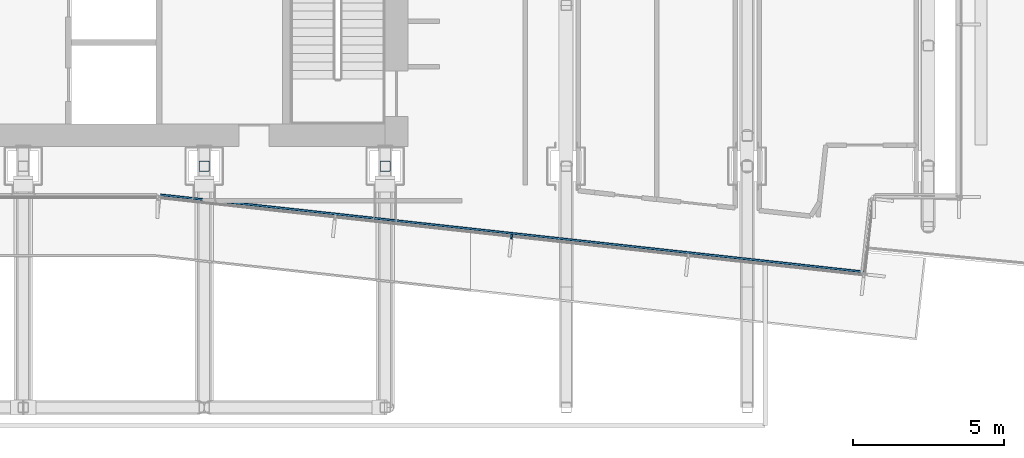
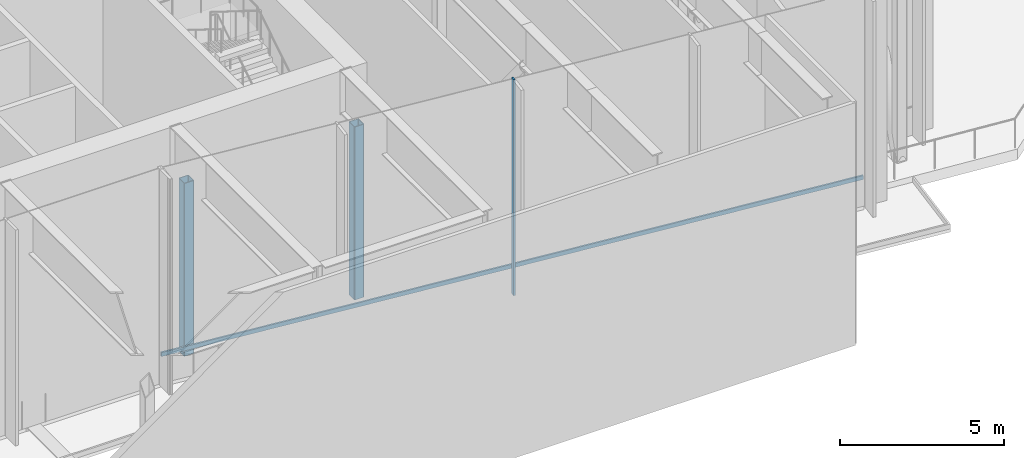
# One storey, part 2 of 24: 4 members, 1 element without a shape of its own.
"""IFC4 building model written with IfcOpenShell, lengths in metres."""

from ifc_helpers import new_model, si_unit, direction, frame, origin, origin_2d, place, context, subcontext, project, spatial, rectangle, hollow_rectangle, extrude, material, layer, layer_set, material_profile, profile_set, type_object, element, aggregate, save


model = new_model("IFC4")

# Units and contexts
model_context = context("Model", 3, precision=1e-05, world=origin(), true_north=direction((0.0, 1.0)))
body_context = subcontext(model_context, "Body", "Model", "MODEL_VIEW")
ifc_project = project(units=[si_unit("LENGTHUNIT", "METRE"), si_unit("AREAUNIT", "SQUARE_METRE"), si_unit("VOLUMEUNIT", "CUBIC_METRE"), si_unit("PLANEANGLEUNIT", "RADIAN"), si_unit("MASSUNIT", "GRAM", prefix="KILO")], contexts=[model_context])

# Site, building, storey
site_placement = place(None, origin())
site = spatial("IfcSite", under=ifc_project, at=site_placement, CompositionType="ELEMENT")
building_placement = place(site_placement, origin())
building = spatial("IfcBuilding", under=site, at=building_placement, Name="Welwitschia Terrace Campus", CompositionType="ELEMENT")
storey_placement = place(building_placement, frame((0.0, 0.0, 138.199951171875)))
storey = spatial("IfcBuildingStorey", under=building, at=storey_placement, Name="L31", CompositionType="ELEMENT", Elevation=138.199951171875)

# Curtain wall, member
ifc_material_1 = material(Name="Bronze anodised aluminium", Category="aluminium")
ifc_layer = layer(ifc_material_1, 0.159912109375)
ifc_layer_set = layer_set([ifc_layer], Name="Bronze anodised aluminium")
curtain_wall_type = type_object("IfcCurtainWallType", Name="Curtain wall CW3 commons 6000", PredefinedType="NOTDEFINED", material=ifc_layer_set)
curtain_wall_placement = place(storey_placement, origin())
curtain_wall = element("IfcCurtainWall", 1, at=curtain_wall_placement, inside=storey, type_object=curtain_wall_type, Name="CW L31.2.0", PredefinedType="NOTDEFINED")
ifc_material_2 = material(Name="Bronze anodised aluminium", Category="aluminium")
ifc_material_profile_1 = material_profile(ifc_material_2, rectangle(XDim=0.159912109375, YDim=0.06005859375, at=origin_2d()))
ifc_profile_set_1 = profile_set([ifc_material_profile_1], Name="Bronze anodised aluminium")
member_type_1 = type_object("IfcMemberType", Name="Mullion 60x160", PredefinedType="MULLION", material=ifc_profile_set_1)
member_1_placement = place(storey_placement, frame((28.192626953125, 1.667724609375, 0.0), z_axis=(0.0, 0.0, 1.0), x_axis=(0.108866874852, 0.994056338222, 0.0)))
member_1 = element("IfcMember", 2, at=member_1_placement, type_object=member_type_1, Name="Mullion L31.2.0.2", PredefinedType="MULLION", context=body_context, shape_type="SweptSolid", body=[
    extrude(rectangle(XDim=0.159912109375, YDim=0.06005859375, at=origin_2d()), origin(), (0.0, 0.0, 1.0), 8.050048828125),
])

# Members
ifc_material_3 = material(Name="Steel S355", Category="steel")
ifc_material_profile_2 = material_profile(ifc_material_3, hollow_rectangle(XDim=0.35009765625, YDim=0.35009765625, WallThickness=0.02001953125, InnerFilletRadius=0.02001953125, OuterFilletRadius=0.030029296875, at=origin_2d()))
ifc_profile_set_2 = profile_set([ifc_material_profile_2], Name="Steel S355")
member_type_2 = type_object("IfcMemberType", Name="Transfer truss C2 post SHS 350x350x20", PredefinedType="POST", material=ifc_profile_set_2)
for number, where, z_axis, x_axis, name in (
    (3, (18.0, 4.0, 0.0), (0.0, 0.0, 1.0), (1.0, 0.0, 0.0), "Truss post"),
    (4, (24.0, 4.0, 0.0), (0.0, 0.0, 1.0), (1.0, 0.0, 0.0), "Truss post"),
):
    element("IfcMember", number, at=place(storey_placement, frame(where, z_axis=z_axis, x_axis=x_axis)), inside=storey, type_object=member_type_2, Name=name, PredefinedType="POST", context=body_context, shape_type="SweptSolid", body=[
        extrude(hollow_rectangle(XDim=0.35009765625, YDim=0.35009765625, WallThickness=0.02001953125, InnerFilletRadius=0.02001953125, OuterFilletRadius=0.030029296875, at=origin_2d()), origin(), (0.0, 0.0, 1.0), 6.449951171875),
    ])

# Member
ifc_material_4 = material(Name="Bronze anodised aluminium", Category="aluminium")
ifc_material_profile_3 = material_profile(ifc_material_4, rectangle(XDim=0.06005859375, YDim=0.14990234375, at=origin_2d()))
ifc_profile_set_3 = profile_set([ifc_material_profile_3], Name="Bronze anodised aluminium")
member_type_3 = type_object("IfcMemberType", Name="Transom 60x150", PredefinedType="USERDEFINED", material=ifc_profile_set_3)
member_2_placement = place(storey_placement, frame((16.55615234375, 3.052734375, 1.0), z_axis=(0.994057045799, -0.108860413823, 0.0), x_axis=(0.108860413823, 0.994057045799, 0.0)))
member_2 = element("IfcMember", 5, at=member_2_placement, type_object=member_type_3, Name="Transom L31.2.0", ObjectType="TRANSOM", PredefinedType="USERDEFINED", context=body_context, shape_type="SweptSolid", body=[
    extrude(rectangle(XDim=0.06005859375, YDim=0.14990234375, at=origin_2d()), origin(), (0.0, 0.0, 1.0), 23.43603515625),
])

aggregate(curtain_wall, [member_1, member_2])

save(model, "model.ifc")
